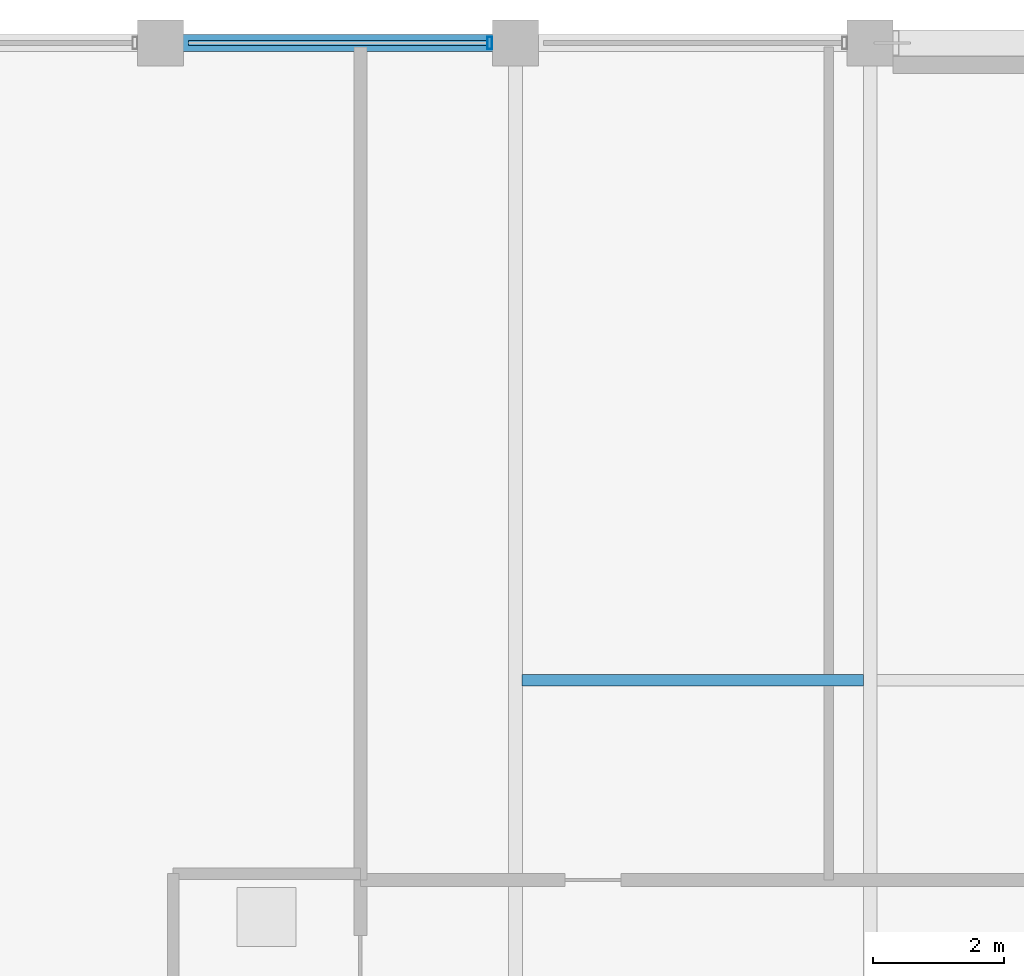
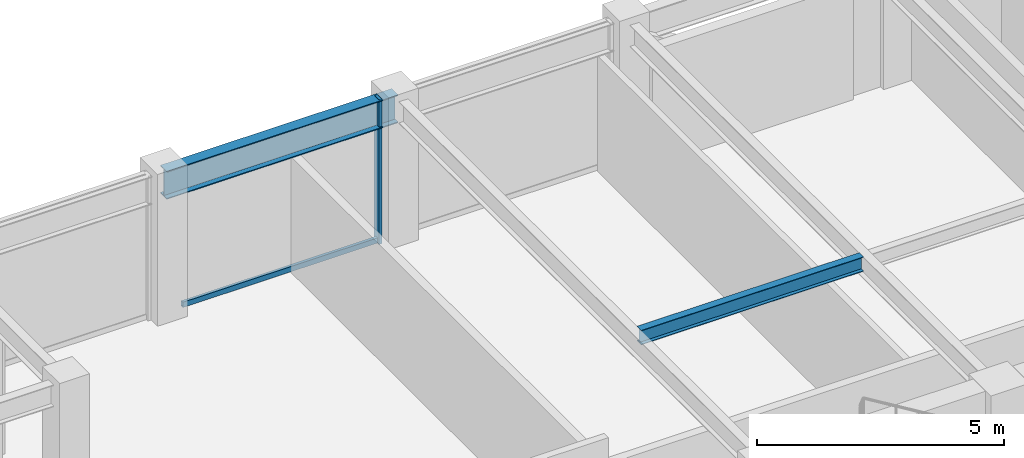
# One storey, part 17 of 30: 2 beams, 2 members, 1 element without a shape of its own.
"""IFC4 building model written with IfcOpenShell, lengths in metres."""

import ifcopenshell
import ifcopenshell.guid

model = None  # the IFC model being written
_history = None  # IfcOwnerHistory: only IFC2X3 demands one
_inside = {}  # id of a spatial element -> (the spatial element, [elements in it])
_under = {}  # id of a project, library or spatial element -> (it, [spatial elements below it])
_declared = {}  # id of a project -> (the project, [libraries it declares])
_typed = {}  # id of a type object -> (the type object, [elements of that type])
_made_of = {}  # id of a material, layer set ... -> (it, [elements and type objects made of it])


def new_model(schema):
    """Start an empty IFC model of exactly this schema.

    Asked for "IFC4X3", IfcOpenShell would pick the latest addendum, in which some entities
    have other attributes; the version numbers below select the first issue.
    IFC2X3 requires an IfcOwnerHistory on every rooted entity: one is made here for all.
    """
    global model, _history
    if schema == "IFC4X3":
        model = ifcopenshell.file(schema_version=(4, 3, 0, 0))
    else:
        model = ifcopenshell.file(schema=schema)
    _inside.clear()
    _under.clear()
    _declared.clear()
    _typed.clear()
    _made_of.clear()
    _history = None
    if model.schema == "IFC2X3":
        org = make("IfcOrganization", Name="unknown")
        user = make(
            "IfcPersonAndOrganization",
            ThePerson=make("IfcPerson", FamilyName="unknown"),
            TheOrganization=org,
        )
        app = make(
            "IfcApplication",
            ApplicationDeveloper=org,
            Version="unknown",
            ApplicationFullName="unknown",
            ApplicationIdentifier="unknown",
        )
        _history = make(
            "IfcOwnerHistory",
            OwningUser=user,
            OwningApplication=app,
            ChangeAction="ADDED",
            CreationDate=0,
        )
    return model


def make(cls, **values):
    """One entity of the class cls with the attributes given. An attribute that is None is left unset."""
    return model.create_entity(
        cls, **{name: value for name, value in values.items() if value is not None}
    )


def rooted(cls, **values):
    """An entity with a GlobalId (a new one), such as an element, a storey or a relation."""
    return make(cls, GlobalId=ifcopenshell.guid.new(), OwnerHistory=_history, **values)


def si_unit(unit_type, name, prefix=None):
    """IfcSIUnit, for example si_unit("LENGTHUNIT", "METRE", prefix="MILLI")."""
    return make("IfcSIUnit", UnitType=unit_type, Prefix=prefix, Name=name)


def assignment(units):
    """IfcUnitAssignment: the units of a project."""
    return None if units is None else make("IfcUnitAssignment", Units=units)


def point(xyz):
    """IfcCartesianPoint."""
    return None if xyz is None else make("IfcCartesianPoint", Coordinates=xyz)


def direction(xyz):
    """IfcDirection."""
    return None if xyz is None else make("IfcDirection", DirectionRatios=xyz)


def frame(location, z_axis=None, x_axis=None):
    """IfcAxis2Placement3D, a coordinate frame: its origin and axes. An axis left out is left unset."""
    return make(
        "IfcAxis2Placement3D",
        Location=point(location),
        Axis=direction(z_axis),
        RefDirection=direction(x_axis),
    )


def frame_2d(location, x_axis=None):
    """IfcAxis2Placement2D, a coordinate frame in the plane: its origin and x axis."""
    return make(
        "IfcAxis2Placement2D", Location=point(location), RefDirection=direction(x_axis)
    )


def origin():
    """The frame at (0, 0, 0) with its axes left unset."""
    return frame((0.0, 0.0, 0.0))


def origin_2d():
    """The frame at (0, 0) in the plane with its x axis left unset."""
    return frame_2d((0.0, 0.0))


def place(relative_to, where):
    """IfcLocalPlacement: puts the frame where relative to a parent placement (None: the world)."""
    return make(
        "IfcLocalPlacement", PlacementRelTo=relative_to, RelativePlacement=where
    )


def context(
    kind, dimensions, precision=None, world=None, true_north=None, identifier=None
):
    """IfcGeometricRepresentationContext, for example the 3D "Model" context."""
    return make(
        "IfcGeometricRepresentationContext",
        ContextIdentifier=identifier,
        ContextType=kind,
        CoordinateSpaceDimension=dimensions,
        Precision=precision,
        WorldCoordinateSystem=world,
        TrueNorth=true_north,
    )


def subcontext(parent, identifier, kind, view, scale=None):
    """IfcGeometricRepresentationSubContext, for example "Body" below "Model"."""
    return make(
        "IfcGeometricRepresentationSubContext",
        ContextIdentifier=identifier,
        ContextType=kind,
        ParentContext=parent,
        TargetScale=scale,
        TargetView=view,
    )


def project(units=None, contexts=None):
    """IfcProject with its units and contexts."""
    return rooted(
        "IfcProject",
        Name="project",
        RepresentationContexts=contexts,
        UnitsInContext=assignment(units),
    )


def spatial(cls, under=None, at=None, **own):
    """A site, building, storey or space (cls), placed at a placement, below another one or the project."""
    s = rooted(cls, ObjectPlacement=at, **own)
    if under is not None:
        _under.setdefault(under.id(), (under, []))[1].append(s)
    return s


def profile(cls, at=None, kind="AREA", **sizes):
    """A parametric profile (cls). Its sizes go by their IFC names, for example OverallWidth=200.0."""
    return make(cls, ProfileType=kind, Position=at, **sizes)


def hollow_rectangle(**sizes):
    """IfcRectangleHollowProfileDef."""
    return profile("IfcRectangleHollowProfileDef", **sizes)


def i_section(**sizes):
    """IfcIShapeProfileDef."""
    return profile("IfcIShapeProfileDef", **sizes)


def extrude(swept, where, along, depth):
    """IfcExtrudedAreaSolid: the profile swept, set in the frame where, extruded along a direction by depth."""
    return make(
        "IfcExtrudedAreaSolid",
        SweptArea=swept,
        Position=where,
        ExtrudedDirection=direction(along),
        Depth=depth,
    )


def shape(context_of_items, identifier, shape_type, items):
    """IfcShapeRepresentation: the items that make up one representation, for example the "Body"."""
    return make(
        "IfcShapeRepresentation",
        ContextOfItems=context_of_items,
        RepresentationIdentifier=identifier,
        RepresentationType=shape_type,
        Items=items,
    )


def material(Name=None, Category=None):
    """IfcMaterial."""
    return make("IfcMaterial", Name=Name, Category=Category)


def layer(
    of_material, thickness, ventilated=None, Name=None, Category=None, Priority=None
):
    """IfcMaterialLayer: one layer of a wall or slab, of a material (None: an air gap)."""
    return make(
        "IfcMaterialLayer",
        Material=of_material,
        LayerThickness=thickness,
        IsVentilated=ventilated,
        Name=Name,
        Category=Category,
        Priority=Priority,
    )


def layer_set(layers, Name=None):
    """IfcMaterialLayerSet."""
    return make("IfcMaterialLayerSet", MaterialLayers=layers, LayerSetName=Name)


def material_profile(
    of_material, cross_section, Name=None, Category=None, Priority=None
):
    """IfcMaterialProfile: a cross section and its material."""
    return make(
        "IfcMaterialProfile",
        Name=Name,
        Material=of_material,
        Profile=cross_section,
        Priority=Priority,
        Category=Category,
    )


def profile_set(profiles, Name=None, composite=None):
    """IfcMaterialProfileSet."""
    return make(
        "IfcMaterialProfileSet",
        Name=Name,
        MaterialProfiles=profiles,
        CompositeProfile=composite,
    )


def made_of(thing, what):
    """Note that an element or type object is made of a material, layer set ...; save() writes the relation."""
    if what is not None:
        _made_of.setdefault(what.id(), (what, []))[1].append(thing)
    return thing


def type_object(cls, material=None, **own):
    """A type object (cls), such as IfcWallType, which elements share."""
    return made_of(rooted(cls, **own), material)


def element(
    cls,
    number,
    at=None,
    inside=None,
    cuts=None,
    type_object=None,
    material=None,
    context=None,
    identifier="Body",
    shape_type=None,
    held_by="IfcProductDefinitionShape",
    body=None,
    shapes=None,
    **own,
):
    """One element of the class cls, such as IfcWall. Its Tag is "e" and its number.

    at: its placement. inside: the storey or other place that contains it. cuts: it is an
    opening in that element (IfcRelVoidsElement). A single representation is given by context,
    identifier, shape_type and body (its items); several are given by shapes. held_by: the class
    of the entity that holds the representations. save() writes the other relations.
    """
    e = rooted(cls, Tag="e%d" % number, ObjectPlacement=at, **own)
    if body is not None:
        shapes = [shape(context, identifier, shape_type, body)]
    if shapes is not None:
        e.Representation = make(held_by, Representations=shapes)
    if inside is not None:
        _inside.setdefault(inside.id(), (inside, []))[1].append(e)
    if cuts is not None:
        rooted(
            "IfcRelVoidsElement", RelatingBuildingElement=cuts, RelatedOpeningElement=e
        )
    if type_object is not None:
        _typed.setdefault(type_object.id(), (type_object, []))[1].append(e)
    return made_of(e, material)


def aggregate(whole, parts):
    """IfcRelAggregates: a whole, such as a stair, and the parts it consists of."""
    return rooted("IfcRelAggregates", RelatingObject=whole, RelatedObjects=parts)


def save(model, path):
    """Write the relations noted so far, then the file.

    IfcRelAggregates (storeys below a building ...), IfcRelContainedInSpatialStructure (elements
    in a storey), IfcRelDefinesByType, IfcRelAssociatesMaterial and IfcRelDeclares: one each for
    every whole, place, type object, material and project.
    """
    for whole, parts in _under.values():
        aggregate(whole, parts)
    for where, things in _inside.values():
        rooted(
            "IfcRelContainedInSpatialStructure",
            RelatedElements=things,
            RelatingStructure=where,
        )
    for kind, things in _typed.values():
        rooted("IfcRelDefinesByType", RelatedObjects=things, RelatingType=kind)
    for what, things in _made_of.values():
        rooted("IfcRelAssociatesMaterial", RelatedObjects=things, RelatingMaterial=what)
    for by, libraries in _declared.values():
        rooted("IfcRelDeclares", RelatingContext=by, RelatedDefinitions=libraries)
    model.write(path)


model = new_model("IFC4")

# Units and contexts
model_context = context("Model", 3, precision=1e-05, world=origin(), true_north=direction((0.0, 1.0)))
body_context = subcontext(model_context, "Body", "Model", "MODEL_VIEW")
ifc_project = project(units=[si_unit("LENGTHUNIT", "METRE"), si_unit("AREAUNIT", "SQUARE_METRE"), si_unit("VOLUMEUNIT", "CUBIC_METRE"), si_unit("PLANEANGLEUNIT", "RADIAN"), si_unit("MASSUNIT", "GRAM", prefix="KILO")], contexts=[model_context])

# Site, building, storey
site_placement = place(None, origin())
site = spatial("IfcSite", under=ifc_project, at=site_placement, CompositionType="ELEMENT")
building_placement = place(site_placement, origin())
building = spatial("IfcBuilding", under=site, at=building_placement, Name="Surkhivell Harbour Commons", CompositionType="ELEMENT")
storey_placement = place(building_placement, frame((0.0, 0.0, 292.5)))
storey = spatial("IfcBuildingStorey", under=building, at=storey_placement, Name="L76", CompositionType="ELEMENT", Elevation=292.5)

# Beams
ifc_material_1 = material(Name="Steel S355", Category="steel")
ifc_material_profile_1 = material_profile(ifc_material_1, i_section(OverallWidth=0.172119140625, OverallDepth=0.35791015625, WebThickness=0.008056640625, FlangeThickness=0.012939453125, at=origin_2d()), Name="UB356x171x57")
ifc_profile_set_1 = profile_set([ifc_material_profile_1], Name="Steel S355")
beam_type_1 = type_object("IfcBeamType", Name="BM-JST-356", PredefinedType="JOIST", material=ifc_profile_set_1)
beam_1_placement = place(storey_placement, frame((-10.697021484375, 16.199951171875, 3.39111328125), z_axis=(1.0, 0.0, 0.0), x_axis=(0.0, 1.0, 0.0)))
element("IfcBeam", 1, at=beam_1_placement, inside=storey, type_object=beam_type_1, Name="L76 North Composite Joist (-10.8)", PredefinedType="JOIST", context=body_context, shape_type="SweptSolid", body=[
    extrude(i_section(OverallWidth=0.172119140625, OverallDepth=0.35791015625, WebThickness=0.008056640625, FlangeThickness=0.012939453125, at=origin_2d()), origin(), (0.0, 0.0, 1.0), 5.194091796875),
])
ifc_material_profile_2 = material_profile(ifc_material_1, i_section(OverallWidth=0.256103515625, OverallDepth=0.693115234375, WebThickness=0.014404296875, FlangeThickness=0.023681640625, at=origin_2d()), Name="UB686x254x170")
ifc_profile_set_2 = profile_set([ifc_material_profile_2], Name="Steel S355")
beam_type_2 = type_object("IfcBeamType", Name="BM-SPN-686", PredefinedType="SPANDREL", material=ifc_profile_set_2)
beam_2_placement = place(storey_placement, frame((-16.199951171875, 25.89990234375, 3.223388671875), z_axis=(1.0, 0.0, 0.0), x_axis=(0.0, 1.0, 0.0)))
element("IfcBeam", 2, at=beam_2_placement, inside=storey, type_object=beam_type_2, Name="L76 Tube Spandrel (-16.2,25.9)", PredefinedType="SPANDREL", context=body_context, shape_type="SweptSolid", body=[
    extrude(i_section(OverallWidth=0.256103515625, OverallDepth=0.693115234375, WebThickness=0.014404296875, FlangeThickness=0.023681640625, at=origin_2d()), origin(), (0.0, 0.0, 1.0), 5.39990234375),
])

# Curtain wall, members
ifc_material_2 = material(Name="Anodised pale-metal aluminium and insulated glazing", Category="aluminium")
ifc_layer = layer(ifc_material_2, 0.175048828125)
ifc_layer_set = layer_set([ifc_layer], Name="Anodised pale-metal aluminium and insulated glazing")
curtain_wall_type = type_object("IfcCurtainWallType", Name="CW-SYS-Z4", PredefinedType="NOTDEFINED", material=ifc_layer_set)
curtain_wall_placement = place(storey_placement, origin())
curtain_wall = element("IfcCurtainWall", 3, at=curtain_wall_placement, inside=storey, type_object=curtain_wall_type, Name="L76 Curtain Wall CW-L76-E07S2", PredefinedType="NOTDEFINED")
ifc_material_3 = material(Name="Anodised pale-metal aluminium alloy 6063-T6", Category="aluminium")
ifc_material_profile_3 = material_profile(ifc_material_3, hollow_rectangle(XDim=0.074951171875, YDim=0.18994140625, WallThickness=0.00390625, at=origin_2d()), Name="ALU-MULL-75x190")
ifc_profile_set_3 = profile_set([ifc_material_profile_3], Name="Anodised pale-metal aluminium alloy 6063-T6")
member_type_1 = type_object("IfcMemberType", Name="CWM-190", PredefinedType="MULLION", material=ifc_profile_set_3)
member_1_placement = place(storey_placement, frame((-11.189453125, 25.89990234375, 0.0), z_axis=(0.0, 0.0, 1.0), x_axis=(-1.0, 0.0, 0.0)))
member_1 = element("IfcMember", 4, at=member_1_placement, type_object=member_type_1, Name="CW-Z4 mullion 2", PredefinedType="MULLION", context=body_context, shape_type="SweptSolid", body=[
    extrude(hollow_rectangle(XDim=0.074951171875, YDim=0.18994140625, WallThickness=0.00390625, at=origin_2d()), origin(), (0.0, 0.0, 1.0), 3.570068359375),
])
ifc_material_4 = material(Name="Champagne anodised aluminium alloy 6063-T6", Category="aluminium")
ifc_material_profile_4 = material_profile(ifc_material_4, hollow_rectangle(XDim=0.070068359375, YDim=0.1298828125, WallThickness=0.00341796875, at=origin_2d()), Name="ALU-TRAN-70x130")
ifc_profile_set_4 = profile_set([ifc_material_profile_4], Name="Champagne anodised aluminium alloy 6063-T6")
member_type_2 = type_object("IfcMemberType", Name="CWT-130", PredefinedType="USERDEFINED", material=ifc_profile_set_4)
member_2_placement = place(storey_placement, frame((-11.22705078125, 25.89990234375, 0.06494140625), z_axis=(-1.0, 0.0, 0.0), x_axis=(0.0, -1.0, 0.0)))
member_2 = element("IfcMember", 5, at=member_2_placement, type_object=member_type_2, Name="CW-Z4 transom 2.1", ObjectType="TRANSOM", PredefinedType="USERDEFINED", context=body_context, shape_type="SweptSolid", body=[
    extrude(hollow_rectangle(XDim=0.070068359375, YDim=0.1298828125, WallThickness=0.00341796875, at=origin_2d()), origin(), (0.0, 0.0, 1.0), 4.5458984375),
])
aggregate(curtain_wall, [member_1, member_2])

save(model, "model.ifc")
